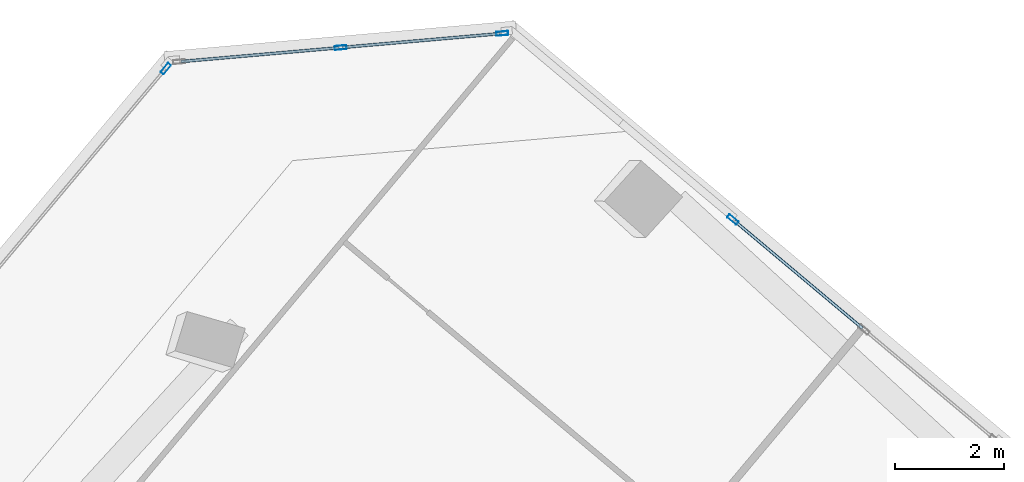
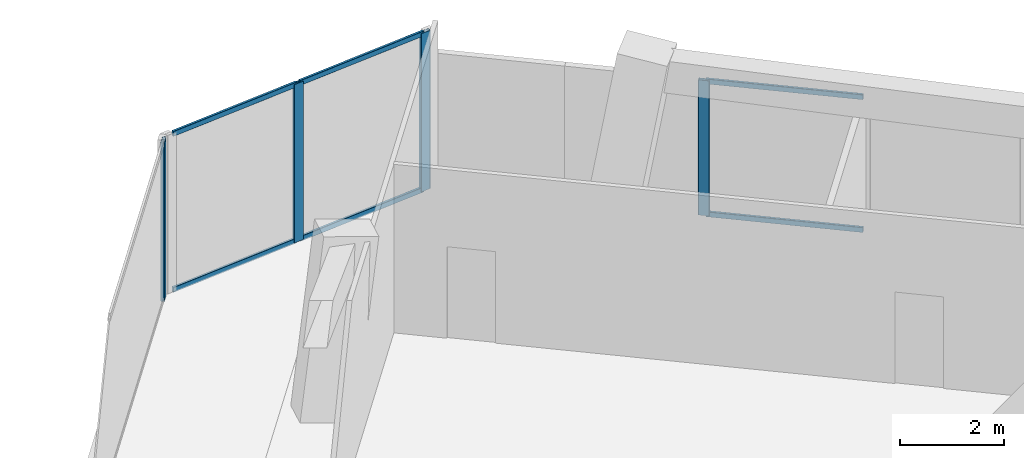
# One storey, part 11 of 18: 10 members, 3 elements without a shape of their own.
"""IFC4 building model written with IfcOpenShell, lengths in metres."""

from ifc_helpers import new_model, si_unit, direction, frame, origin, origin_2d, place, context, subcontext, project, spatial, hollow_rectangle, extrude, source, transform, mapped, material, material_profile, profile_set, type_object, element, aggregate, save


model = new_model("IFC4")

# Units and contexts
model_context = context("Model", 3, precision=1e-05, world=origin(), true_north=direction((0.0, 1.0)))
body_context = subcontext(model_context, "Body", "Model", "MODEL_VIEW")
ifc_project = project(units=[si_unit("LENGTHUNIT", "METRE"), si_unit("AREAUNIT", "SQUARE_METRE"), si_unit("VOLUMEUNIT", "CUBIC_METRE"), si_unit("PLANEANGLEUNIT", "RADIAN"), si_unit("MASSUNIT", "GRAM", prefix="KILO")], contexts=[model_context])

# Site, building, storey
site_placement = place(None, origin())
site = spatial("IfcSite", under=ifc_project, at=site_placement, CompositionType="ELEMENT")
building_placement = place(site_placement, origin())
building = spatial("IfcBuilding", under=site, at=building_placement, Name="Torre Montelarca", CompositionType="ELEMENT")
storey_placement = place(building_placement, frame((0.0, 0.0, 224.800048828125)))
storey = spatial("IfcBuildingStorey", under=building, at=storey_placement, Name="L50", CompositionType="ELEMENT", Elevation=224.800048828125)

# Curtain wall, members
ifc_material_1 = material(Name="Insulated low-E laminated glass", Category="glass")
curtain_wall_type = type_object("IfcCurtainWallType", Name="CW-SYS-Z3", PredefinedType="USERDEFINED", material=ifc_material_1)
curtain_wall_1_placement = place(storey_placement, origin())
curtain_wall_1 = element("IfcCurtainWall", 1, at=curtain_wall_1_placement, inside=storey, type_object=curtain_wall_type, Name="L50 Curtain Wall Run CW-T3-L50-E09-B1", ObjectType="UNITISED GLAZING", PredefinedType="USERDEFINED")
ifc_material_2 = material(Name="Anodised aluminium AA 6063-T6", Category="aluminium")
ifc_material_profile_1 = material_profile(ifc_material_2, hollow_rectangle(XDim=0.054931640625, YDim=0.1201171875, WallThickness=0.00341796875, InnerFilletRadius=0.00341796875, OuterFilletRadius=0.007080078125, at=origin_2d()), Name="ALU55X120X3.5", Category="aluminium")
ifc_profile_set_1 = profile_set([ifc_material_profile_1], Name="Anodised aluminium AA 6063-T6")
member_type_1 = type_object("IfcMemberType", Name="CWT-ALU120", PredefinedType="USERDEFINED", material=ifc_profile_set_1)
shared_shape_1 = source(origin(), body_context, "Body", "SweptSolid", [
    extrude(hollow_rectangle(XDim=0.054931640625, YDim=0.1201171875, WallThickness=0.00341796875, InnerFilletRadius=0.00341796875, OuterFilletRadius=0.007080078125, at=origin_2d()), origin(), (0.0, 0.0, 1.0), 2.903564453125),
])
member_1_placement = place(storey_placement, frame((19.274658203125, 54.672607421875, 0.02734375), z_axis=(-0.996191526826, -0.087191982893, 0.0), x_axis=(0.087191982893, -0.996191526826, 0.0)))
member_1 = element("IfcMember", 2, at=member_1_placement, type_object=member_type_1, Name="CW transom 1.1", ObjectType="TRANSOM", PredefinedType="USERDEFINED", context=body_context, shape_type="MappedRepresentation", body=[
    mapped(shared_shape_1, transform((0.0, 0.0, 0.0), scale=1.0)),
])
member_2_placement = place(storey_placement, frame((19.274658203125, 54.672607421875, 3.6923828125), z_axis=(-0.996191526826, -0.087191982893, 0.0), x_axis=(0.087191982893, -0.996191526826, 0.0)))
member_2 = element("IfcMember", 3, at=member_2_placement, type_object=member_type_1, Name="CW transom 1.2", ObjectType="TRANSOM", PredefinedType="USERDEFINED", context=body_context, shape_type="MappedRepresentation", body=[
    mapped(shared_shape_1, transform((0.0, 0.0, 0.0), scale=1.0)),
])
member_3_placement = place(storey_placement, frame((16.307373046875, 54.4130859375, 0.02734375), z_axis=(-0.996191526826, -0.087191982893, 0.0), x_axis=(0.087191982893, -0.996191526826, 0.0)))
member_3 = element("IfcMember", 4, at=member_3_placement, type_object=member_type_1, Name="CW transom 2.1", ObjectType="TRANSOM", PredefinedType="USERDEFINED", context=body_context, shape_type="MappedRepresentation", body=[
    mapped(shared_shape_1, transform((0.0, 0.0, 0.0), scale=1.0)),
])
member_4_placement = place(storey_placement, frame((16.307373046875, 54.4130859375, 3.6923828125), z_axis=(-0.996191526826, -0.087191982893, 0.0), x_axis=(0.087191982893, -0.996191526826, 0.0)))
member_4 = element("IfcMember", 5, at=member_4_placement, type_object=member_type_1, Name="CW transom 2.2", ObjectType="TRANSOM", PredefinedType="USERDEFINED", context=body_context, shape_type="MappedRepresentation", body=[
    mapped(shared_shape_1, transform((0.0, 0.0, 0.0), scale=1.0)),
])
ifc_material_profile_2 = material_profile(ifc_material_2, hollow_rectangle(XDim=0.074951171875, YDim=0.219970703125, WallThickness=0.0048828125, InnerFilletRadius=0.0048828125, OuterFilletRadius=0.010009765625, at=origin_2d()), Name="ALU75X220X5", Category="aluminium")
ifc_profile_set_2 = profile_set([ifc_material_profile_2], Name="Anodised aluminium AA 6063-T6")
member_type_2 = type_object("IfcMemberType", Name="CWM-ALU220", PredefinedType="MULLION", material=ifc_profile_set_2)
shared_shape_2 = source(origin(), body_context, "Body", "SweptSolid", [
    extrude(hollow_rectangle(XDim=0.074951171875, YDim=0.219970703125, WallThickness=0.0048828125, InnerFilletRadius=0.0048828125, OuterFilletRadius=0.010009765625, at=origin_2d()), origin(), (0.0, 0.0, 1.0), 3.719970703125),
])
member_5_placement = place(storey_placement, frame((19.31201171875, 54.676025390625, 0.0), z_axis=(0.0, 0.0, 1.0), x_axis=(0.087182579501, -0.996192349816, 0.0)))
member_5 = element("IfcMember", 6, at=member_5_placement, type_object=member_type_2, Name="CW mullion 1", PredefinedType="MULLION", context=body_context, shape_type="MappedRepresentation", body=[
    mapped(shared_shape_2, transform((0.0, 0.0, 0.0), scale=1.0)),
])
member_6_placement = place(storey_placement, frame((16.3447265625, 54.416259765625, 0.0), z_axis=(0.0, 0.0, 1.0), x_axis=(0.087182579501, -0.996192349816, 0.0)))
member_6 = element("IfcMember", 7, at=member_6_placement, type_object=member_type_2, Name="CW mullion 2", PredefinedType="MULLION", context=body_context, shape_type="MappedRepresentation", body=[
    mapped(shared_shape_2, transform((0.0, 0.0, 0.0), scale=1.0)),
])
aggregate(curtain_wall_1, [member_5, member_6, member_1, member_2, member_3, member_4])

# Curtain wall, member
curtain_wall_2_placement = place(storey_placement, origin())
curtain_wall_2 = element("IfcCurtainWall", 8, at=curtain_wall_2_placement, inside=storey, type_object=curtain_wall_type, Name="L50 Curtain Wall Run CW-T3-L50-E10-B1", ObjectType="UNITISED GLAZING", PredefinedType="USERDEFINED")
member_7_placement = place(storey_placement, frame((13.13232421875, 54.029052734375, 0.0), z_axis=(0.0, 0.0, 1.0), x_axis=(0.766043772472, -0.642788408931, 0.0)))
member_7 = element("IfcMember", 9, at=member_7_placement, type_object=member_type_2, Name="CW mullion 1", PredefinedType="MULLION", context=body_context, shape_type="MappedRepresentation", body=[
    mapped(shared_shape_2, transform((0.0, 0.0, 0.0), scale=1.0)),
])
aggregate(curtain_wall_2, [member_7])

# Curtain wall, members
curtain_wall_3_placement = place(storey_placement, origin())
curtain_wall_3 = element("IfcCurtainWall", 10, at=curtain_wall_3_placement, inside=storey, type_object=curtain_wall_type, Name="L50 Curtain Wall Run CW-T3-L50-E08-B3", ObjectType="UNITISED GLAZING", PredefinedType="USERDEFINED")
shared_shape_3 = source(origin(), body_context, "Body", "SweptSolid", [
    extrude(hollow_rectangle(XDim=0.074951171875, YDim=0.219970703125, WallThickness=0.0048828125, InnerFilletRadius=0.0048828125, OuterFilletRadius=0.010009765625, at=origin_2d()), origin(), (0.0, 0.0, 1.0), 3.175048828125),
])
member_8_placement = place(storey_placement, frame((23.548828125, 51.2587890625, 0.0), z_axis=(0.0, 0.0, 1.0), x_axis=(-0.64278831371, -0.766043852372, 0.0)))
member_8 = element("IfcMember", 11, at=member_8_placement, type_object=member_type_2, Name="CW mullion 3", PredefinedType="MULLION", context=body_context, shape_type="MappedRepresentation", body=[
    mapped(shared_shape_3, transform((0.0, 0.0, 0.0), scale=1.0)),
])
shared_shape_4 = source(origin(), body_context, "Body", "SweptSolid", [
    extrude(hollow_rectangle(XDim=0.054931640625, YDim=0.1201171875, WallThickness=0.00341796875, InnerFilletRadius=0.00341796875, OuterFilletRadius=0.007080078125, at=origin_2d()), origin(), (0.0, 0.0, 1.0), 3.071044921875),
])
member_9_placement = place(storey_placement, frame((25.93017578125, 49.260498046875, 0.02734375), z_axis=(-0.766027377719, 0.64280794689, 0.0), x_axis=(-0.64280794689, -0.766027377719, 0.0)))
member_9 = element("IfcMember", 12, at=member_9_placement, type_object=member_type_1, Name="CW transom 2.1", ObjectType="TRANSOM", PredefinedType="USERDEFINED", context=body_context, shape_type="MappedRepresentation", body=[
    mapped(shared_shape_4, transform((0.0, 0.0, 0.0), scale=1.0)),
])
member_10_placement = place(storey_placement, frame((25.93017578125, 49.260498046875, 3.1474609375), z_axis=(-0.766027377719, 0.64280794689, 0.0), x_axis=(-0.64280794689, -0.766027377719, 0.0)))
member_10 = element("IfcMember", 13, at=member_10_placement, type_object=member_type_1, Name="CW transom 2.2", ObjectType="TRANSOM", PredefinedType="USERDEFINED", context=body_context, shape_type="MappedRepresentation", body=[
    mapped(shared_shape_4, transform((0.0, 0.0, 0.0), scale=1.0)),
])
aggregate(curtain_wall_3, [member_8, member_9, member_10])

save(model, "model.ifc")
